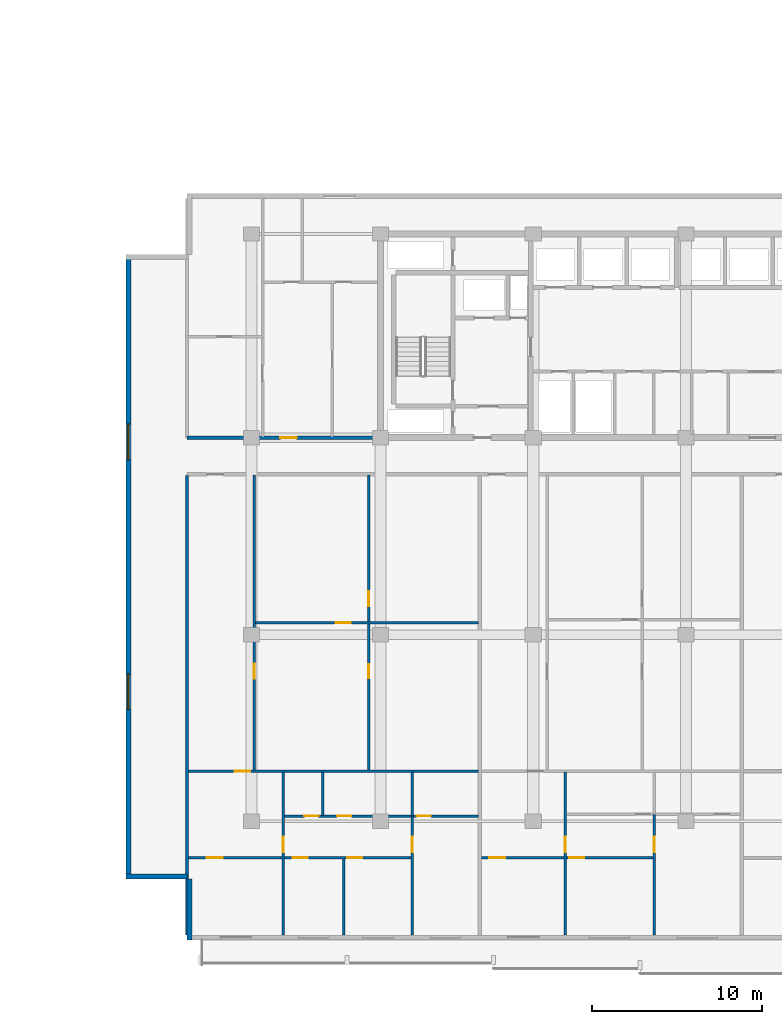
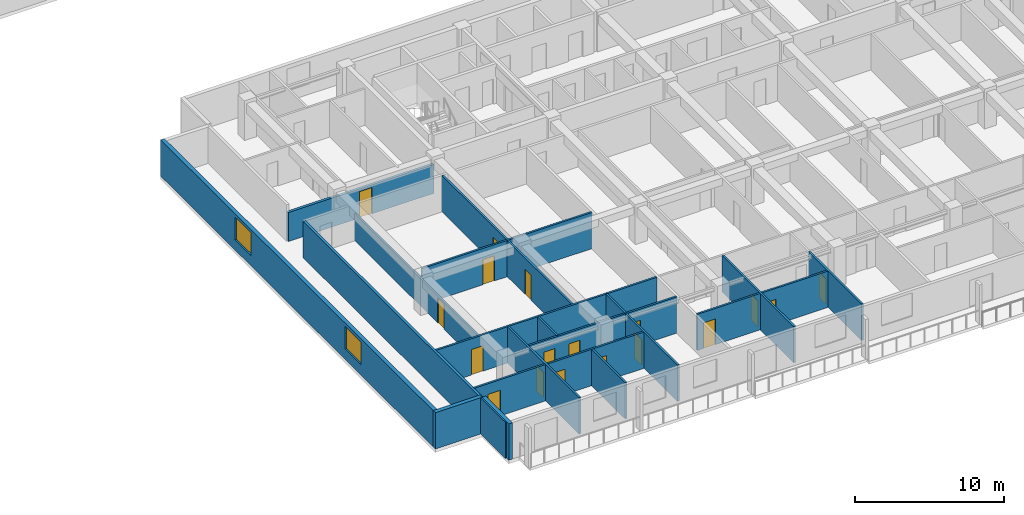
# One storey, part 3 of 23: 19 walls, 18 doors, 2 windows, 20 openings.
"""IFC4 building model written with IfcOpenShell, lengths in metres."""

from ifc_helpers import new_model, si_unit, direction, frame, frame_2d, origin, place, context, subcontext, project, spatial, rectangle, extrude, material, layer, layer_set, type_object, element, fill, save


model = new_model("IFC4")

# Units and contexts
model_context = context("Model", 3, precision=1e-05, world=origin(), true_north=direction((0.0, 1.0)))
body_context = subcontext(model_context, "Body", "Model", "MODEL_VIEW")
ifc_project = project(units=[si_unit("LENGTHUNIT", "METRE"), si_unit("AREAUNIT", "SQUARE_METRE"), si_unit("VOLUMEUNIT", "CUBIC_METRE"), si_unit("PLANEANGLEUNIT", "RADIAN"), si_unit("MASSUNIT", "GRAM", prefix="KILO")], contexts=[model_context])

# Site, building, storey
site_placement = place(None, origin())
site = spatial("IfcSite", under=ifc_project, at=site_placement, CompositionType="ELEMENT")
building_placement = place(site_placement, origin())
building = spatial("IfcBuilding", under=site, at=building_placement, Name="Korimba Cascade Residences", CompositionType="ELEMENT")
storey_placement = place(building_placement, frame((0.0, 0.0, 46.75)))
storey = spatial("IfcBuildingStorey", under=building, at=storey_placement, Name="L12", CompositionType="ELEMENT", Elevation=46.75)

# Wall, openings, windows
ifc_material_1 = material(Name="Precast concrete C40/50", Category="concrete")
ifc_layer_1 = layer(ifc_material_1, 0.300048828125)
ifc_layer_set_1 = layer_set([ifc_layer_1], Name="Precast concrete C40/50")
wall_type_1 = type_object("IfcWallType", Name="EW-STONE-300", PredefinedType="STANDARD", material=ifc_layer_set_1)
wall_1_placement = place(storey_placement, frame((67.25, 29.199951171875, 0.0), z_axis=(0.0, 0.0, 1.0), x_axis=(0.0, -1.0, 0.0)))
wall_1 = element("IfcWall", 1, at=wall_1_placement, inside=storey, type_object=wall_type_1, Name="L12 T2 Perimeter Stone Wall E09", PredefinedType="STANDARD", context=body_context, shape_type="SweptSolid", body=[
    extrude(rectangle(XDim=36.800048828125, YDim=0.300048828125, at=frame_2d((18.39990234375, 0.0))), origin(), (0.0, 0.0, 1.0), 2.969970703125),
])
opening_1_placement = place(wall_1_placement, frame((9.989990234375, 0.0, 0.85009765625)))
opening_1 = element("IfcOpeningElement", 2, at=opening_1_placement, cuts=wall_1, Name="Opening W-03", PredefinedType="OPENING", context=body_context, shape_type="SweptSolid", body=[
    extrude(rectangle(XDim=2.10009765625, YDim=1.85009765625, at=frame_2d((1.050048828125, 0.925048828125))), frame((0.0, 0.16015625, 0.0), z_axis=(0.0, -1.0, 0.0), x_axis=(1.0, 0.0, 0.0)), (0.0, 0.0, 1.0), 0.320068359375),
])
opening_2_placement = place(wall_1_placement, frame((24.7099609375, 0.0, 0.85009765625)))
opening_2 = element("IfcOpeningElement", 3, at=opening_2_placement, cuts=wall_1, Name="Opening W-03", PredefinedType="OPENING", context=body_context, shape_type="SweptSolid", body=[
    extrude(rectangle(XDim=2.10009765625, YDim=1.85009765625, at=frame_2d((1.050048828125, 0.925048828125))), frame((0.0, 0.16015625, 0.0), z_axis=(0.0, -1.0, 0.0), x_axis=(1.0, 0.0, 0.0)), (0.0, 0.0, 1.0), 0.320068359375),
])
ifc_material_2 = material(Name="Double-Glazed Aluminium Window", Category="aluminium")
window_type = type_object("IfcWindowType", Name="WIN-CRN-2100", PartitioningType="DOUBLE_PANEL_HORIZONTAL", PredefinedType="WINDOW", material=ifc_material_2)
window_1_placement = place(opening_1_placement, origin())
window_1 = element("IfcWindow", 4, at=window_1_placement, inside=storey, type_object=window_type, Name="L12 T2 End View Window 9.1", OverallHeight=1.85009765625, OverallWidth=2.10009765625, PartitioningType="DOUBLE_PANEL_HORIZONTAL", PredefinedType="WINDOW", context=body_context, shape_type="SweptSolid", body=[
    extrude(rectangle(XDim=2.10009765625, YDim=1.85009765625, at=frame_2d((1.050048828125, 0.925048828125))), frame((0.0, 0.030029296875, 0.0), z_axis=(0.0, -1.0, 0.0), x_axis=(1.0, 0.0, 0.0)), (0.0, 0.0, 1.0), 0.06005859375),
])
fill(opening_1, window_1)
window_2_placement = place(opening_2_placement, origin())
window_2 = element("IfcWindow", 5, at=window_2_placement, inside=storey, type_object=window_type, Name="L12 T2 End View Window 9.2", OverallHeight=1.85009765625, OverallWidth=2.10009765625, PartitioningType="DOUBLE_PANEL_HORIZONTAL", PredefinedType="WINDOW", context=body_context, shape_type="SweptSolid", body=[
    extrude(rectangle(XDim=2.10009765625, YDim=1.85009765625, at=frame_2d((1.050048828125, 0.925048828125))), frame((0.0, 0.030029296875, 0.0), z_axis=(0.0, -1.0, 0.0), x_axis=(1.0, 0.0, 0.0)), (0.0, 0.0, 1.0), 0.06005859375),
])
fill(opening_2, window_2)

# Walls
for number, where, z_axis, x_axis, name in (
    (6, (67.10009765625, -7.449951171875, 0.0), (0.0, 0.0, 1.0), (1.0, 0.0, 0.0), "L12 T2 Perimeter Stone Wall E10"),
    (7, (70.85009765625, -7.60009765625, 0.0), (0.0, 0.0, 1.0), (0.0, -1.0, 0.0), "L12 T2 Perimeter Stone Wall E11"),
):
    element("IfcWall", number, at=place(storey_placement, frame(where, z_axis=z_axis, x_axis=x_axis)), inside=storey, type_object=wall_type_1, Name=name, PredefinedType="STANDARD", context=body_context, shape_type="SweptSolid", body=[
        extrude(rectangle(XDim=3.599853515625, YDim=0.300048828125, at=frame_2d((1.7998046875, 0.0))), origin(), (0.0, 0.0, 1.0), 2.969970703125),
    ])

# Wall, opening, door
ifc_layer_2 = layer(ifc_material_1, 0.199951171875)
ifc_layer_set_2 = layer_set([ifc_layer_2], Name="Precast concrete C40/50")
wall_type_2 = type_object("IfcWallType", Name="WAL-IT-200", PredefinedType="PARTITIONING", material=ifc_layer_set_2)
wall_2_placement = place(storey_placement, frame((70.699951171875, 18.39990234375, 0.0), z_axis=(0.0, 0.0, 1.0), x_axis=(1.0, 0.0, 0.0)))
wall_2 = element("IfcWall", 8, at=wall_2_placement, inside=storey, type_object=wall_type_2, Name="L12 Partition Wall WAL-L12-T2-FW-S", PredefinedType="PARTITIONING", context=body_context, shape_type="SweptSolid", body=[
    extrude(rectangle(XDim=11.25, YDim=0.199951171875, at=frame_2d((5.625, 0.0))), origin(), (0.0, 0.0, 1.0), 2.3701171875),
])
opening_3_placement = place(wall_2_placement, frame((5.50634765625, 0.0, 0.0)))
opening_3 = element("IfcOpeningElement", 9, at=opening_3_placement, cuts=wall_2, Name="Opening D-UN1", PredefinedType="OPENING", context=body_context, shape_type="SweptSolid", body=[
    extrude(rectangle(XDim=0.949951171875, YDim=2.14990234375, at=frame_2d((0.47509765625, 1.074951171875))), frame((0.0, 0.10986328125, 0.0), z_axis=(0.0, -1.0, 0.0), x_axis=(1.0, 0.0, 0.0)), (0.0, 0.0, 1.0), 0.219970703125),
])
ifc_material_3 = material(Name="Fire-Rated Hardwood Apartment Entrance Door", Category="wood")
door_type_1 = type_object("IfcDoorType", Name="DR-FD60-950", OperationType="NOTDEFINED", PredefinedType="DOOR", material=ifc_material_3)
door_1_placement = place(opening_3_placement, origin())
door_1 = element("IfcDoor", 10, at=door_1_placement, inside=storey, type_object=door_type_1, Name="L12-T2-FW Entrance Door", OperationType="SINGLE_SWING_RIGHT", OverallHeight=2.14990234375, OverallWidth=0.949951171875, PredefinedType="DOOR", context=body_context, shape_type="SweptSolid", body=[
    extrude(rectangle(XDim=0.949951171875, YDim=2.14990234375, at=frame_2d((0.47509765625, 1.074951171875))), frame((0.0, 0.02490234375, 0.0), z_axis=(0.0, -1.0, 0.0), x_axis=(1.0, 0.0, 0.0)), (0.0, 0.0, 1.0), 0.050048828125),
])
fill(opening_3, door_1)

# Wall
wall_3_placement = place(storey_placement, frame((70.699951171875, -10.89990234375, 0.0), z_axis=(0.0, 0.0, 1.0), x_axis=(0.0, 1.0, 0.0)))
element("IfcWall", 11, at=wall_3_placement, inside=storey, type_object=wall_type_2, Name="L12 Partition Wall WAL-L12-T2-BNDWL", PredefinedType="PARTITIONING", context=body_context, shape_type="SweptSolid", body=[
    extrude(rectangle(XDim=27.06982421875, YDim=0.199951171875, at=frame_2d((13.534912109375, 0.0))), origin(), (0.0, 0.0, 1.0), 2.969970703125),
])

# Wall, openings, doors
ifc_material_4 = material(Name="Insulated Acoustic Stud Partition", Category="gypsum")
ifc_layer_3 = layer(ifc_material_4, 0.14990234375)
ifc_layer_set_3 = layer_set([ifc_layer_3], Name="Insulated Acoustic Stud Partition")
wall_type_3 = type_object("IfcWallType", Name="WAL-PART-150", PredefinedType="PARTITIONING", material=ifc_layer_set_3)
wall_4_placement = place(storey_placement, frame((81.4033203125, -1.2099609375, 0.0), z_axis=(0.0, 0.0, 1.0), x_axis=(0.0, 1.0, 0.0)))
wall_4 = element("IfcWall", 12, at=wall_4_placement, inside=storey, type_object=wall_type_3, Name="L12 Partition Wall WAL-L12-T2-U01-FMV", PredefinedType="PARTITIONING", context=body_context, shape_type="SweptSolid", body=[
    extrude(rectangle(XDim=17.39990234375, YDim=0.14990234375, at=frame_2d((8.699951171875, 0.0))), origin(), (0.0, 0.0, 1.0), 2.969970703125),
])
opening_4_placement = place(wall_4_placement, frame((5.431884765625, 0.0, 0.0)))
opening_4 = element("IfcOpeningElement", 13, at=opening_4_placement, cuts=wall_4, Name="Opening D-BT1", PredefinedType="OPENING", context=body_context, shape_type="SweptSolid", body=[
    extrude(rectangle(XDim=0.840087890625, YDim=2.0400390625, at=frame_2d((0.419921875, 1.02001953125))), frame((0.0, 0.0849609375, 0.0), z_axis=(0.0, -1.0, 0.0), x_axis=(1.0, 0.0, 0.0)), (0.0, 0.0, 1.0), 0.169921875),
])
opening_5_placement = place(wall_4_placement, frame((9.672119140625, 0.0, 0.0)))
opening_5 = element("IfcOpeningElement", 14, at=opening_5_placement, cuts=wall_4, Name="Opening D-IN2", PredefinedType="OPENING", context=body_context, shape_type="SweptSolid", body=[
    extrude(rectangle(XDim=0.8798828125, YDim=2.06005859375, at=frame_2d((0.43994140625, 1.030029296875))), frame((0.0, 0.0849609375, 0.0), z_axis=(0.0, -1.0, 0.0), x_axis=(1.0, 0.0, 0.0)), (0.0, 0.0, 1.0), 0.169921875),
])
ifc_material_5 = material(Name="Moisture-Resistant Bathroom Timber Door", Category="wood")
door_type_2 = type_object("IfcDoorType", Name="DR-INT-850", OperationType="NOTDEFINED", PredefinedType="DOOR", material=ifc_material_5)
door_2_placement = place(opening_4_placement, origin())
door_2 = element("IfcDoor", 15, at=door_2_placement, inside=storey, type_object=door_type_2, Name="L12-T2-U01 Wardrobe Door", OperationType="SINGLE_SWING_LEFT", OverallHeight=2.0400390625, OverallWidth=0.840087890625, PredefinedType="DOOR", context=body_context, shape_type="SweptSolid", body=[
    extrude(rectangle(XDim=0.840087890625, YDim=2.0400390625, at=frame_2d((0.419921875, 1.02001953125))), frame((0.0, 0.02490234375, 0.0), z_axis=(0.0, -1.0, 0.0), x_axis=(1.0, 0.0, 0.0)), (0.0, 0.0, 1.0), 0.050048828125),
])
fill(opening_4, door_2)
ifc_material_6 = material(Name="Acoustic Timber Bedroom Door", Category="wood")
door_type_3 = type_object("IfcDoorType", Name="DR-INT-880", OperationType="NOTDEFINED", PredefinedType="DOOR", material=ifc_material_6)
door_3_placement = place(opening_5_placement, origin())
door_3 = element("IfcDoor", 16, at=door_3_placement, inside=storey, type_object=door_type_3, Name="L12-T2-U01 Music Lounge Door", OperationType="SINGLE_SWING_RIGHT", OverallHeight=2.06005859375, OverallWidth=0.8798828125, PredefinedType="DOOR", context=body_context, shape_type="SweptSolid", body=[
    extrude(rectangle(XDim=0.8798828125, YDim=2.06005859375, at=frame_2d((0.43994140625, 1.030029296875))), frame((0.0, 0.02490234375, 0.0), z_axis=(0.0, -1.0, 0.0), x_axis=(1.0, 0.0, 0.0)), (0.0, 0.0, 1.0), 0.050048828125),
])
fill(opening_5, door_3)

# Wall, opening, door
wall_5_placement = place(storey_placement, frame((74.72998046875, 7.489990234375, 0.0), z_axis=(0.0, 0.0, 1.0), x_axis=(1.0, 0.0, 0.0)))
wall_5 = element("IfcWall", 17, at=wall_5_placement, inside=storey, type_object=wall_type_3, Name="L12 Partition Wall WAL-L12-T2-U01-FMH", PredefinedType="PARTITIONING", context=body_context, shape_type="SweptSolid", body=[
    extrude(rectangle(XDim=13.146728515625, YDim=0.14990234375, at=frame_2d((6.5732421875, 0.0))), origin(), (0.0, 0.0, 1.0), 2.969970703125),
])
opening_6_placement = place(wall_5_placement, frame((4.73779296875, 0.0, 0.0)))
opening_6 = element("IfcOpeningElement", 18, at=opening_6_placement, cuts=wall_5, Name="Opening D-IN2", PredefinedType="OPENING", context=body_context, shape_type="SweptSolid", body=[
    extrude(rectangle(XDim=0.8798828125, YDim=2.06005859375, at=frame_2d((0.43994140625, 1.030029296875))), frame((0.0, 0.0849609375, 0.0), z_axis=(0.0, -1.0, 0.0), x_axis=(1.0, 0.0, 0.0)), (0.0, 0.0, 1.0), 0.169921875),
])
door_4_placement = place(opening_6_placement, origin())
door_4 = element("IfcDoor", 19, at=door_4_placement, inside=storey, type_object=door_type_3, Name="L12-T2-U01 Library Salon Door", OperationType="SINGLE_SWING_LEFT", OverallHeight=2.06005859375, OverallWidth=0.8798828125, PredefinedType="DOOR", context=body_context, shape_type="SweptSolid", body=[
    extrude(rectangle(XDim=0.8798828125, YDim=2.06005859375, at=frame_2d((0.43994140625, 1.030029296875))), frame((0.0, 0.02490234375, 0.0), z_axis=(0.0, -1.0, 0.0), x_axis=(1.0, 0.0, 0.0)), (0.0, 0.0, 1.0), 0.050048828125),
])
fill(opening_6, door_4)

wall_6_placement = place(storey_placement, frame((74.669921875, -1.2099609375, 0.0), z_axis=(0.0, 0.0, 1.0), x_axis=(0.0, 1.0, 0.0)))
wall_6 = element("IfcWall", 20, at=wall_6_placement, inside=storey, type_object=wall_type_3, Name="L12 Partition Wall WAL-L12-T2-U01-FV", PredefinedType="PARTITIONING", context=body_context, shape_type="SweptSolid", body=[
    extrude(rectangle(XDim=17.39990234375, YDim=0.14990234375, at=frame_2d((8.699951171875, 0.0))), origin(), (0.0, 0.0, 1.0), 2.219970703125),
])
opening_7_placement = place(wall_6_placement, frame((5.404052734375, 0.0, 0.0)))
opening_7 = element("IfcOpeningElement", 21, at=opening_7_placement, cuts=wall_6, Name="Opening D-IN2", PredefinedType="OPENING", context=body_context, shape_type="SweptSolid", body=[
    extrude(rectangle(XDim=0.8798828125, YDim=2.06005859375, at=frame_2d((0.43994140625, 1.030029296875))), frame((0.0, 0.0849609375, 0.0), z_axis=(0.0, -1.0, 0.0), x_axis=(1.0, 0.0, 0.0)), (0.0, 0.0, 1.0), 0.169921875),
])
door_5_placement = place(opening_7_placement, origin())
door_5 = element("IfcDoor", 22, at=door_5_placement, inside=storey, type_object=door_type_3, Name="L12-T2-U01 Media Lounge Door", OperationType="SINGLE_SWING_RIGHT", OverallHeight=2.06005859375, OverallWidth=0.8798828125, PredefinedType="DOOR", context=body_context, shape_type="SweptSolid", body=[
    extrude(rectangle(XDim=0.8798828125, YDim=2.06005859375, at=frame_2d((0.43994140625, 1.030029296875))), frame((0.0, 0.02490234375, 0.0), z_axis=(0.0, -1.0, 0.0), x_axis=(1.0, 0.0, 0.0)), (0.0, 0.0, 1.0), 0.050048828125),
])
fill(opening_7, door_5)

# Walls
wall_7_placement = place(storey_placement, frame((78.68994140625, -3.8701171875, 0.0), z_axis=(0.0, 0.0, 1.0), x_axis=(0.0, 1.0, 0.0)))
element("IfcWall", 23, at=wall_7_placement, inside=storey, type_object=wall_type_3, Name="L12 Partition Wall WAL-L12-T2-U01-VDRS", PredefinedType="PARTITIONING", context=body_context, shape_type="SweptSolid", body=[
    extrude(rectangle(XDim=2.580078125, YDim=0.14990234375, at=frame_2d((1.2900390625, 0.0))), origin(), (0.0, 0.0, 1.0), 2.969970703125),
])
wall_8_placement = place(storey_placement, frame((79.929931640625, -10.89990234375, 0.0), z_axis=(0.0, 0.0, 1.0), x_axis=(0.0, 1.0, 0.0)))
element("IfcWall", 24, at=wall_8_placement, inside=storey, type_object=wall_type_3, Name="L12 Partition Wall WAL-L12-T2-U01-VSTD", PredefinedType="PARTITIONING", context=body_context, shape_type="SweptSolid", body=[
    extrude(rectangle(XDim=4.469970703125, YDim=0.14990234375, at=frame_2d((2.23486328125, 0.0))), origin(), (0.0, 0.0, 1.0), 2.969970703125),
])

# Wall, opening, door
wall_9_placement = place(storey_placement, frame((76.3798828125, -10.89990234375, 0.0), z_axis=(0.0, 0.0, 1.0), x_axis=(0.0, 1.0, 0.0)))
wall_9 = element("IfcWall", 25, at=wall_9_placement, inside=storey, type_object=wall_type_3, Name="L12 Partition Wall WAL-L12-T2-U01-V1", PredefinedType="PARTITIONING", context=body_context, shape_type="SweptSolid", body=[
    extrude(rectangle(XDim=9.60986328125, YDim=0.14990234375, at=frame_2d((4.804931640625, 0.0))), origin(), (0.0, 0.0, 1.0), 2.969970703125),
])
opening_8_placement = place(wall_9_placement, frame((4.8701171875, 0.0, 0.0)))
opening_8 = element("IfcOpeningElement", 26, at=opening_8_placement, cuts=wall_9, Name="Opening D-IN1", PredefinedType="OPENING", context=body_context, shape_type="SweptSolid", body=[
    extrude(rectangle(XDim=0.919921875, YDim=2.080078125, at=frame_2d((0.4599609375, 1.0400390625))), frame((0.0, 0.0849609375, 0.0), z_axis=(0.0, -1.0, 0.0), x_axis=(1.0, 0.0, 0.0)), (0.0, 0.0, 1.0), 0.169921875),
])
ifc_material_7 = material(Name="Acoustic Timber Living Door", Category="wood")
door_type_4 = type_object("IfcDoorType", Name="DR-INT-920", OperationType="NOTDEFINED", PredefinedType="DOOR", material=ifc_material_7)
door_6_placement = place(opening_8_placement, origin())
door_6 = element("IfcDoor", 27, at=door_6_placement, inside=storey, type_object=door_type_4, Name="L12-T2-U01 Hallway Door", OperationType="SINGLE_SWING_LEFT", OverallHeight=2.080078125, OverallWidth=0.919921875, PredefinedType="DOOR", context=body_context, shape_type="SweptSolid", body=[
    extrude(rectangle(XDim=0.919921875, YDim=2.080078125, at=frame_2d((0.4599609375, 1.0400390625))), frame((0.0, 0.02490234375, 0.0), z_axis=(0.0, -1.0, 0.0), x_axis=(1.0, 0.0, 0.0)), (0.0, 0.0, 1.0), 0.050048828125),
])
fill(opening_8, door_6)

# Wall
wall_10_placement = place(storey_placement, frame((83.97998046875, -3.8701171875, 0.0), z_axis=(0.0, 0.0, 1.0), x_axis=(0.0, 1.0, 0.0)))
element("IfcWall", 28, at=wall_10_placement, inside=storey, type_object=wall_type_3, Name="L12 Partition Wall WAL-L12-T2-U01-VBATH", PredefinedType="PARTITIONING", context=body_context, shape_type="SweptSolid", body=[
    extrude(rectangle(XDim=2.580078125, YDim=0.14990234375, at=frame_2d((1.2900390625, 0.0))), origin(), (0.0, 0.0, 1.0), 2.969970703125),
])

# Wall, opening, door
wall_11_placement = place(storey_placement, frame((83.97998046875, -10.89990234375, 0.0), z_axis=(0.0, 0.0, 1.0), x_axis=(0.0, 1.0, 0.0)))
wall_11 = element("IfcWall", 29, at=wall_11_placement, inside=storey, type_object=wall_type_3, Name="L12 Partition Wall WAL-L12-T2-U01-V2FULL", PredefinedType="PARTITIONING", context=body_context, shape_type="SweptSolid", body=[
    extrude(rectangle(XDim=6.989990234375, YDim=0.14990234375, at=frame_2d((3.4951171875, 0.0))), origin(), (0.0, 0.0, 1.0), 2.969970703125),
])
opening_9_placement = place(wall_11_placement, frame((4.8701171875, 0.0, 0.0)))
opening_9 = element("IfcOpeningElement", 30, at=opening_9_placement, cuts=wall_11, Name="Opening D-IN1", PredefinedType="OPENING", context=body_context, shape_type="SweptSolid", body=[
    extrude(rectangle(XDim=0.919921875, YDim=2.080078125, at=frame_2d((0.4599609375, 1.0400390625))), frame((0.0, 0.0849609375, 0.0), z_axis=(0.0, -1.0, 0.0), x_axis=(1.0, 0.0, 0.0)), (0.0, 0.0, 1.0), 0.169921875),
])
door_7_placement = place(opening_9_placement, origin())
door_7 = element("IfcDoor", 31, at=door_7_placement, inside=storey, type_object=door_type_4, Name="L12-T2-U01 Master Bedroom Door", OperationType="SINGLE_SWING_RIGHT", OverallHeight=2.080078125, OverallWidth=0.919921875, PredefinedType="DOOR", context=body_context, shape_type="SweptSolid", body=[
    extrude(rectangle(XDim=0.919921875, YDim=2.080078125, at=frame_2d((0.4599609375, 1.0400390625))), frame((0.0, 0.02490234375, 0.0), z_axis=(0.0, -1.0, 0.0), x_axis=(1.0, 0.0, 0.0)), (0.0, 0.0, 1.0), 0.050048828125),
])
fill(opening_9, door_7)

# Wall, openings, doors
wall_12_placement = place(storey_placement, frame((76.419921875, -3.889892578125, 0.0), z_axis=(0.0, 0.0, 1.0), x_axis=(1.0, 0.0, 0.0)))
wall_12 = element("IfcWall", 32, at=wall_12_placement, inside=storey, type_object=wall_type_3, Name="L12 Partition Wall WAL-L12-T2-U01-HWALL", PredefinedType="PARTITIONING", context=body_context, shape_type="SweptSolid", body=[
    extrude(rectangle(XDim=11.456787109375, YDim=0.14990234375, at=frame_2d((5.728515625, 0.0))), origin(), (0.0, 0.0, 1.0), 2.969970703125),
])
opening_10_placement = place(wall_12_placement, frame((1.19091796875, 0.0, 0.0)))
opening_10 = element("IfcOpeningElement", 33, at=opening_10_placement, cuts=wall_12, Name="Opening D-BT1", PredefinedType="OPENING", context=body_context, shape_type="SweptSolid", body=[
    extrude(rectangle(XDim=0.840087890625, YDim=2.0400390625, at=frame_2d((0.419921875, 1.02001953125))), frame((0.0, 0.0849609375, 0.0), z_axis=(0.0, -1.0, 0.0), x_axis=(1.0, 0.0, 0.0)), (0.0, 0.0, 1.0), 0.169921875),
])
opening_11_placement = place(wall_12_placement, frame((3.131591796875, 0.0, 0.0)))
opening_11 = element("IfcOpeningElement", 34, at=opening_11_placement, cuts=wall_12, Name="Opening D-BT1", PredefinedType="OPENING", context=body_context, shape_type="SweptSolid", body=[
    extrude(rectangle(XDim=0.840087890625, YDim=2.0400390625, at=frame_2d((0.419921875, 1.02001953125))), frame((0.0, 0.0849609375, 0.0), z_axis=(0.0, -1.0, 0.0), x_axis=(1.0, 0.0, 0.0)), (0.0, 0.0, 1.0), 0.169921875),
])
opening_12_placement = place(wall_12_placement, frame((7.81005859375, 0.0, 0.0)))
opening_12 = element("IfcOpeningElement", 35, at=opening_12_placement, cuts=wall_12, Name="Opening D-BT1", PredefinedType="OPENING", context=body_context, shape_type="SweptSolid", body=[
    extrude(rectangle(XDim=0.840087890625, YDim=2.0400390625, at=frame_2d((0.419921875, 1.02001953125))), frame((0.0, 0.0849609375, 0.0), z_axis=(0.0, -1.0, 0.0), x_axis=(1.0, 0.0, 0.0)), (0.0, 0.0, 1.0), 0.169921875),
])
door_8_placement = place(opening_10_placement, origin())
door_8 = element("IfcDoor", 36, at=door_8_placement, inside=storey, type_object=door_type_2, Name="L12-T2-U01 Family Bathroom Door", OperationType="SINGLE_SWING_LEFT", OverallHeight=2.0400390625, OverallWidth=0.840087890625, PredefinedType="DOOR", context=body_context, shape_type="SweptSolid", body=[
    extrude(rectangle(XDim=0.840087890625, YDim=2.0400390625, at=frame_2d((0.419921875, 1.02001953125))), frame((0.0, 0.02490234375, 0.0), z_axis=(0.0, -1.0, 0.0), x_axis=(1.0, 0.0, 0.0)), (0.0, 0.0, 1.0), 0.050048828125),
])
fill(opening_10, door_8)
door_9_placement = place(opening_11_placement, origin())
door_9 = element("IfcDoor", 37, at=door_9_placement, inside=storey, type_object=door_type_2, Name="L12-T2-U01 Dressing Room Door", OperationType="SINGLE_SWING_RIGHT", OverallHeight=2.0400390625, OverallWidth=0.840087890625, PredefinedType="DOOR", context=body_context, shape_type="SweptSolid", body=[
    extrude(rectangle(XDim=0.840087890625, YDim=2.0400390625, at=frame_2d((0.419921875, 1.02001953125))), frame((0.0, 0.02490234375, 0.0), z_axis=(0.0, -1.0, 0.0), x_axis=(1.0, 0.0, 0.0)), (0.0, 0.0, 1.0), 0.050048828125),
])
fill(opening_11, door_9)
door_10_placement = place(opening_12_placement, origin())
door_10 = element("IfcDoor", 38, at=door_10_placement, inside=storey, type_object=door_type_2, Name="L12-T2-U01 En-Suite Door", OperationType="SINGLE_SWING_LEFT", OverallHeight=2.0400390625, OverallWidth=0.840087890625, PredefinedType="DOOR", context=body_context, shape_type="SweptSolid", body=[
    extrude(rectangle(XDim=0.840087890625, YDim=2.0400390625, at=frame_2d((0.419921875, 1.02001953125))), frame((0.0, 0.02490234375, 0.0), z_axis=(0.0, -1.0, 0.0), x_axis=(1.0, 0.0, 0.0)), (0.0, 0.0, 1.0), 0.050048828125),
])
fill(opening_12, door_10)

# Wall, opening, door
wall_13_placement = place(storey_placement, frame((70.780029296875, -1.25, 0.0), z_axis=(0.0, 0.0, 1.0), x_axis=(1.0, 0.0, 0.0)))
wall_13 = element("IfcWall", 39, at=wall_13_placement, inside=storey, type_object=wall_type_3, Name="L12 Partition Wall WAL-L12-T2-U01-MW", PredefinedType="PARTITIONING", context=body_context, shape_type="SweptSolid", body=[
    extrude(rectangle(XDim=17.0966796875, YDim=0.14990234375, at=frame_2d((8.54833984375, 0.0))), origin(), (0.0, 0.0, 1.0), 2.969970703125),
])
opening_13_placement = place(wall_13_placement, frame((2.719970703125, 0.0, 0.0)))
opening_13 = element("IfcOpeningElement", 40, at=opening_13_placement, cuts=wall_13, Name="Opening D-IN1", PredefinedType="OPENING", context=body_context, shape_type="SweptSolid", body=[
    extrude(rectangle(XDim=0.919921875, YDim=2.080078125, at=frame_2d((0.4599609375, 1.0400390625))), frame((0.0, 0.0849609375, 0.0), z_axis=(0.0, -1.0, 0.0), x_axis=(1.0, 0.0, 0.0)), (0.0, 0.0, 1.0), 0.169921875),
])
door_11_placement = place(opening_13_placement, origin())
door_11 = element("IfcDoor", 41, at=door_11_placement, inside=storey, type_object=door_type_4, Name="L12-T2-U01 Kitchen Door", OperationType="SINGLE_SWING_RIGHT", OverallHeight=2.080078125, OverallWidth=0.919921875, PredefinedType="DOOR", context=body_context, shape_type="SweptSolid", body=[
    extrude(rectangle(XDim=0.919921875, YDim=2.080078125, at=frame_2d((0.4599609375, 1.0400390625))), frame((0.0, 0.02490234375, 0.0), z_axis=(0.0, -1.0, 0.0), x_axis=(1.0, 0.0, 0.0)), (0.0, 0.0, 1.0), 0.050048828125),
])
fill(opening_13, door_11)

# Wall, openings, doors
wall_14_placement = place(storey_placement, frame((70.780029296875, -6.35009765625, 0.0), z_axis=(0.0, 0.0, 1.0), x_axis=(1.0, 0.0, 0.0)))
wall_14 = element("IfcWall", 42, at=wall_14_placement, inside=storey, type_object=wall_type_3, Name="L12 Partition Wall WAL-L12-T2-U01-HZ", PredefinedType="PARTITIONING", context=body_context, shape_type="SweptSolid", body=[
    extrude(rectangle(XDim=13.199951171875, YDim=0.14990234375, at=frame_2d((6.60009765625, 0.0))), origin(), (0.0, 0.0, 1.0), 2.969970703125),
])
opening_14_placement = place(wall_14_placement, frame((1.08203125, 0.0, 0.0)))
opening_14 = element("IfcOpeningElement", 43, at=opening_14_placement, cuts=wall_14, Name="Opening D-IN0", PredefinedType="OPENING", context=body_context, shape_type="SweptSolid", body=[
    extrude(rectangle(XDim=0.93994140625, YDim=2.10009765625, at=frame_2d((0.469970703125, 1.050048828125))), frame((0.0, 0.0849609375, 0.0), z_axis=(0.0, -1.0, 0.0), x_axis=(1.0, 0.0, 0.0)), (0.0, 0.0, 1.0), 0.169921875),
])
opening_15_placement = place(wall_14_placement, frame((6.159912109375, 0.0, 0.0)))
opening_15 = element("IfcOpeningElement", 44, at=opening_15_placement, cuts=wall_14, Name="Opening D-IN2", PredefinedType="OPENING", context=body_context, shape_type="SweptSolid", body=[
    extrude(rectangle(XDim=0.8798828125, YDim=2.06005859375, at=frame_2d((0.43994140625, 1.030029296875))), frame((0.0, 0.0849609375, 0.0), z_axis=(0.0, -1.0, 0.0), x_axis=(1.0, 0.0, 0.0)), (0.0, 0.0, 1.0), 0.169921875),
])
opening_16_placement = place(wall_14_placement, frame((9.3701171875, 0.0, 0.0)))
opening_16 = element("IfcOpeningElement", 45, at=opening_16_placement, cuts=wall_14, Name="Opening D-IN2", PredefinedType="OPENING", context=body_context, shape_type="SweptSolid", body=[
    extrude(rectangle(XDim=0.8798828125, YDim=2.06005859375, at=frame_2d((0.43994140625, 1.030029296875))), frame((0.0, 0.0849609375, 0.0), z_axis=(0.0, -1.0, 0.0), x_axis=(1.0, 0.0, 0.0)), (0.0, 0.0, 1.0), 0.169921875),
])
door_12_placement = place(opening_15_placement, origin())
door_12 = element("IfcDoor", 46, at=door_12_placement, inside=storey, type_object=door_type_3, Name="L12-T2-U01 Bedroom 2 Door", OperationType="SINGLE_SWING_RIGHT", OverallHeight=2.06005859375, OverallWidth=0.8798828125, PredefinedType="DOOR", context=body_context, shape_type="SweptSolid", body=[
    extrude(rectangle(XDim=0.8798828125, YDim=2.06005859375, at=frame_2d((0.43994140625, 1.030029296875))), frame((0.0, 0.02490234375, 0.0), z_axis=(0.0, -1.0, 0.0), x_axis=(1.0, 0.0, 0.0)), (0.0, 0.0, 1.0), 0.050048828125),
])
fill(opening_15, door_12)
door_13_placement = place(opening_16_placement, origin())
door_13 = element("IfcDoor", 47, at=door_13_placement, inside=storey, type_object=door_type_3, Name="L12-T2-U01 Study Door", OperationType="SINGLE_SWING_LEFT", OverallHeight=2.06005859375, OverallWidth=0.8798828125, PredefinedType="DOOR", context=body_context, shape_type="SweptSolid", body=[
    extrude(rectangle(XDim=0.8798828125, YDim=2.06005859375, at=frame_2d((0.43994140625, 1.030029296875))), frame((0.0, 0.02490234375, 0.0), z_axis=(0.0, -1.0, 0.0), x_axis=(1.0, 0.0, 0.0)), (0.0, 0.0, 1.0), 0.050048828125),
])
fill(opening_16, door_13)
ifc_material_8 = material(Name="Acoustic Timber Living Archway Door", Category="wood")
door_type_5 = type_object("IfcDoorType", Name="DR-INT-950", OperationType="NOTDEFINED", PredefinedType="DOOR", material=ifc_material_8)
door_14_placement = place(opening_14_placement, origin())
door_14 = element("IfcDoor", 48, at=door_14_placement, inside=storey, type_object=door_type_5, Name="L12-T2-U01 Living Room Door", OperationType="SINGLE_SWING_LEFT", OverallHeight=2.10009765625, OverallWidth=0.93994140625, PredefinedType="DOOR", context=body_context, shape_type="SweptSolid", body=[
    extrude(rectangle(XDim=0.93994140625, YDim=2.10009765625, at=frame_2d((0.469970703125, 1.050048828125))), frame((0.0, 0.02490234375, 0.0), z_axis=(0.0, -1.0, 0.0), x_axis=(1.0, 0.0, 0.0)), (0.0, 0.0, 1.0), 0.050048828125),
])
fill(opening_14, door_14)

# Wall, opening, door
wall_15_placement = place(storey_placement, frame((92.97998046875, -10.89990234375, 0.0), z_axis=(0.0, 0.0, 1.0), x_axis=(0.0, 1.0, 0.0)))
wall_15 = element("IfcWall", 49, at=wall_15_placement, inside=storey, type_object=wall_type_3, Name="L12 Partition Wall WAL-L12-T2-U02-V1", PredefinedType="PARTITIONING", context=body_context, shape_type="SweptSolid", body=[
    extrude(rectangle(XDim=9.60986328125, YDim=0.14990234375, at=frame_2d((4.804931640625, 0.0))), origin(), (0.0, 0.0, 1.0), 2.969970703125),
])
opening_17_placement = place(wall_15_placement, frame((4.8701171875, 0.0, 0.0)))
opening_17 = element("IfcOpeningElement", 50, at=opening_17_placement, cuts=wall_15, Name="Opening D-IN1", PredefinedType="OPENING", context=body_context, shape_type="SweptSolid", body=[
    extrude(rectangle(XDim=0.919921875, YDim=2.080078125, at=frame_2d((0.4599609375, 1.0400390625))), frame((0.0, 0.0849609375, 0.0), z_axis=(0.0, -1.0, 0.0), x_axis=(1.0, 0.0, 0.0)), (0.0, 0.0, 1.0), 0.169921875),
])
door_15_placement = place(opening_17_placement, origin())
door_15 = element("IfcDoor", 51, at=door_15_placement, inside=storey, type_object=door_type_4, Name="L12-T2-U02 Hallway Door", OperationType="SINGLE_SWING_RIGHT", OverallHeight=2.080078125, OverallWidth=0.919921875, PredefinedType="DOOR", context=body_context, shape_type="SweptSolid", body=[
    extrude(rectangle(XDim=0.919921875, YDim=2.080078125, at=frame_2d((0.4599609375, 1.0400390625))), frame((0.0, 0.02490234375, 0.0), z_axis=(0.0, -1.0, 0.0), x_axis=(1.0, 0.0, 0.0)), (0.0, 0.0, 1.0), 0.050048828125),
])
fill(opening_17, door_15)

wall_16_placement = place(storey_placement, frame((98.219970703125, -10.89990234375, 0.0), z_axis=(0.0, 0.0, 1.0), x_axis=(0.0, 1.0, 0.0)))
wall_16 = element("IfcWall", 52, at=wall_16_placement, inside=storey, type_object=wall_type_3, Name="L12 Partition Wall WAL-L12-T2-U02-V2FULL", PredefinedType="PARTITIONING", context=body_context, shape_type="SweptSolid", body=[
    extrude(rectangle(XDim=7.099853515625, YDim=0.14990234375, at=frame_2d((3.5498046875, 0.0))), origin(), (0.0, 0.0, 1.0), 2.969970703125),
])
opening_18_placement = place(wall_16_placement, frame((4.8701171875, 0.0, 0.0)))
opening_18 = element("IfcOpeningElement", 53, at=opening_18_placement, cuts=wall_16, Name="Opening D-IN1", PredefinedType="OPENING", context=body_context, shape_type="SweptSolid", body=[
    extrude(rectangle(XDim=0.919921875, YDim=2.080078125, at=frame_2d((0.4599609375, 1.0400390625))), frame((0.0, 0.0849609375, 0.0), z_axis=(0.0, -1.0, 0.0), x_axis=(1.0, 0.0, 0.0)), (0.0, 0.0, 1.0), 0.169921875),
])
door_16_placement = place(opening_18_placement, origin())
door_16 = element("IfcDoor", 54, at=door_16_placement, inside=storey, type_object=door_type_4, Name="L12-T2-U02 Master Bedroom Door", OperationType="SINGLE_SWING_LEFT", OverallHeight=2.080078125, OverallWidth=0.919921875, PredefinedType="DOOR", context=body_context, shape_type="SweptSolid", body=[
    extrude(rectangle(XDim=0.919921875, YDim=2.080078125, at=frame_2d((0.4599609375, 1.0400390625))), frame((0.0, 0.02490234375, 0.0), z_axis=(0.0, -1.0, 0.0), x_axis=(1.0, 0.0, 0.0)), (0.0, 0.0, 1.0), 0.050048828125),
])
fill(opening_18, door_16)

# Wall, openings, doors
wall_17_placement = place(storey_placement, frame((88.03662109375, -6.35009765625, 0.0), z_axis=(0.0, 0.0, 1.0), x_axis=(1.0, 0.0, 0.0)))
wall_17 = element("IfcWall", 55, at=wall_17_placement, inside=storey, type_object=wall_type_3, Name="L12 Partition Wall WAL-L12-T2-U02-HZ", PredefinedType="PARTITIONING", context=body_context, shape_type="SweptSolid", body=[
    extrude(rectangle(XDim=10.183349609375, YDim=0.14990234375, at=frame_2d((5.091796875, 0.0))), origin(), (0.0, 0.0, 1.0), 2.969970703125),
])
opening_19_placement = place(wall_17_placement, frame((0.460205078125, 0.0, 0.0)))
opening_19 = element("IfcOpeningElement", 56, at=opening_19_placement, cuts=wall_17, Name="Opening D-IN0", PredefinedType="OPENING", context=body_context, shape_type="SweptSolid", body=[
    extrude(rectangle(XDim=0.93994140625, YDim=2.10009765625, at=frame_2d((0.469970703125, 1.050048828125))), frame((0.0, 0.0849609375, 0.0), z_axis=(0.0, -1.0, 0.0), x_axis=(1.0, 0.0, 0.0)), (0.0, 0.0, 1.0), 0.169921875),
])
opening_20_placement = place(wall_17_placement, frame((5.193359375, 0.0, 0.0)))
opening_20 = element("IfcOpeningElement", 57, at=opening_20_placement, cuts=wall_17, Name="Opening D-IN2", PredefinedType="OPENING", context=body_context, shape_type="SweptSolid", body=[
    extrude(rectangle(XDim=0.8798828125, YDim=2.06005859375, at=frame_2d((0.43994140625, 1.030029296875))), frame((0.0, 0.0849609375, 0.0), z_axis=(0.0, -1.0, 0.0), x_axis=(1.0, 0.0, 0.0)), (0.0, 0.0, 1.0), 0.169921875),
])
door_17_placement = place(opening_20_placement, origin())
door_17 = element("IfcDoor", 58, at=door_17_placement, inside=storey, type_object=door_type_3, Name="L12-T2-U02 Bedroom 2 Door", OperationType="SINGLE_SWING_RIGHT", OverallHeight=2.06005859375, OverallWidth=0.8798828125, PredefinedType="DOOR", context=body_context, shape_type="SweptSolid", body=[
    extrude(rectangle(XDim=0.8798828125, YDim=2.06005859375, at=frame_2d((0.43994140625, 1.030029296875))), frame((0.0, 0.02490234375, 0.0), z_axis=(0.0, -1.0, 0.0), x_axis=(1.0, 0.0, 0.0)), (0.0, 0.0, 1.0), 0.050048828125),
])
fill(opening_20, door_17)
door_18_placement = place(opening_19_placement, origin())
door_18 = element("IfcDoor", 59, at=door_18_placement, inside=storey, type_object=door_type_5, Name="L12-T2-U02 Living Room Door", OperationType="SINGLE_SWING_LEFT", OverallHeight=2.10009765625, OverallWidth=0.93994140625, PredefinedType="DOOR", context=body_context, shape_type="SweptSolid", body=[
    extrude(rectangle(XDim=0.93994140625, YDim=2.10009765625, at=frame_2d((0.469970703125, 1.050048828125))), frame((0.0, 0.02490234375, 0.0), z_axis=(0.0, -1.0, 0.0), x_axis=(1.0, 0.0, 0.0)), (0.0, 0.0, 1.0), 0.050048828125),
])
fill(opening_19, door_18)

save(model, "model.ifc")
